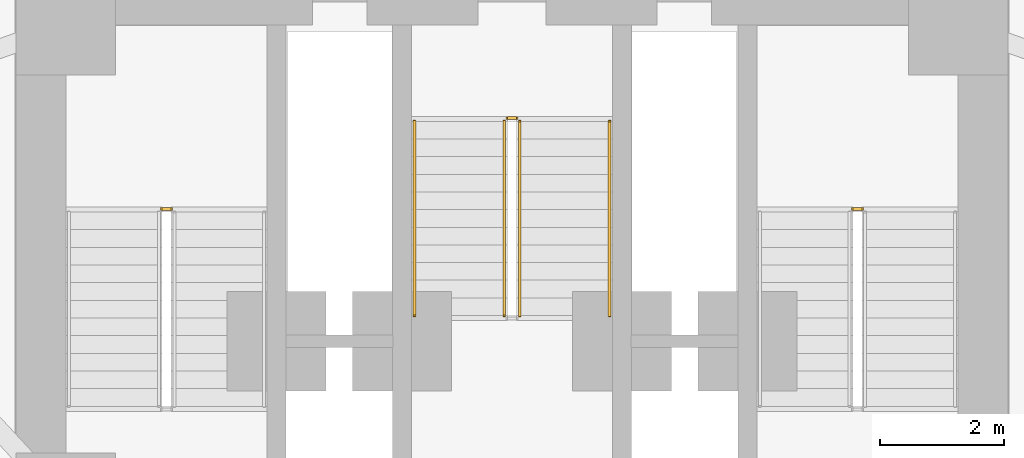
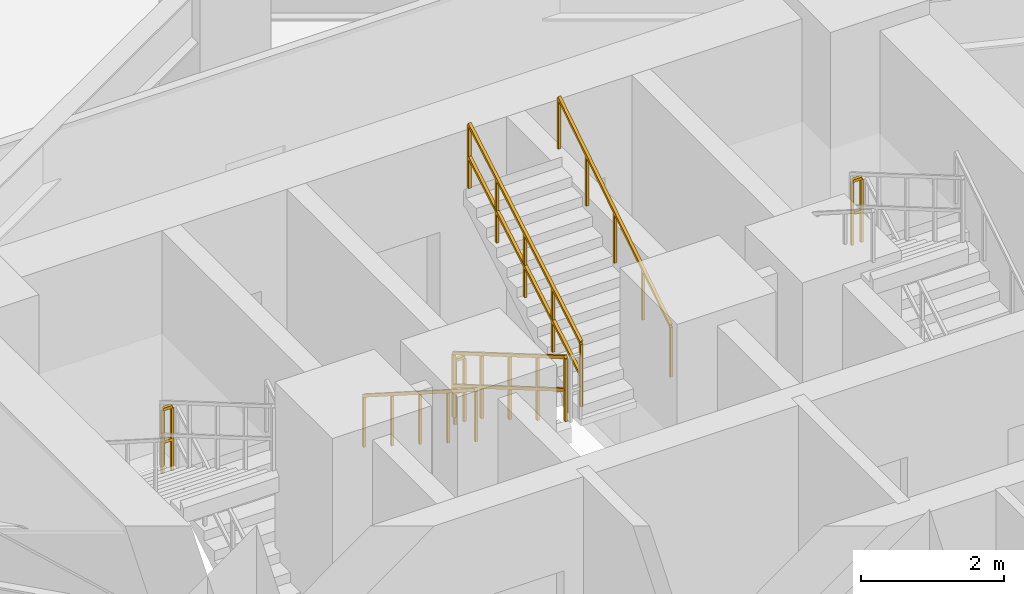
# One storey, part 11 of 11: 7 railings.
"""IFC4 building model written with IfcOpenShell, lengths in metres."""

from ifc_helpers import new_model, si_unit, direction, frame, origin, origin_2d, place, context, subcontext, project, spatial, rectangle, extrude, material, type_object, element, save


model = new_model("IFC4")

# Units and contexts
model_context = context("Model", 3, precision=1e-05, world=origin(), true_north=direction((0.0, 1.0)))
body_context = subcontext(model_context, "Body", "Model", "MODEL_VIEW")
ifc_project = project(units=[si_unit("LENGTHUNIT", "METRE"), si_unit("AREAUNIT", "SQUARE_METRE"), si_unit("VOLUMEUNIT", "CUBIC_METRE"), si_unit("PLANEANGLEUNIT", "RADIAN"), si_unit("MASSUNIT", "GRAM", prefix="KILO")], contexts=[model_context])

# Site, building, storey
site_placement = place(None, origin())
site = spatial("IfcSite", under=ifc_project, at=site_placement, CompositionType="ELEMENT")
building_placement = place(site_placement, origin())
building = spatial("IfcBuilding", under=site, at=building_placement, Name="Apsidion Concourse Tower", CompositionType="ELEMENT")
storey_placement = place(building_placement, frame((0.0, 0.0, 46.39990234375)))
storey = spatial("IfcBuildingStorey", under=building, at=storey_placement, Name="L09", CompositionType="ELEMENT", Elevation=46.39990234375)

# Railings
ifc_material = material(Name="Brushed stainless steel 316", Category="steel")
railing_type_1 = type_object("IfcRailingType", Name="RL-GUARD-1100", PredefinedType="GUARDRAIL", material=ifc_material)
for number, where, name in (
    (1, (-5.5, 6.18505859375, 2.0), "L09 ST1 stair guard 2"),
    (2, (5.64990234375, 6.18505859375, 2.0), "L09 ST2 stair guard 2"),
):
    element("IfcRailing", number, at=place(storey_placement, frame(where)), inside=storey, type_object=railing_type_1, Name=name, PredefinedType="GUARDRAIL", context=body_context, shape_type="SweptSolid", body=[
        extrude(rectangle(XDim=0.048095703125, YDim=0.048095703125, at=origin_2d()), frame((0.0, 0.0, 1.09619140625), z_axis=(-1.0, 0.0, 0.0), x_axis=(0.0, -1.0, 0.0)), (0.0, 0.0, 1.0), 0.14990234375),
        extrude(rectangle(XDim=0.048095703125, YDim=0.048095703125, at=origin_2d()), frame((0.0, 0.0, 0.5361328125), z_axis=(-1.0, 0.0, 0.0), x_axis=(0.0, -1.0, 0.0)), (0.0, 0.0, 1.0), 0.14990234375),
        extrude(rectangle(XDim=0.0419921875, YDim=0.0419921875, at=origin_2d()), origin(), (0.0, 0.0, 1.0), 1.072021484375),
        extrude(rectangle(XDim=0.0419921875, YDim=0.0419921875, at=origin_2d()), frame((-0.14990234375, 0.0, 0.0)), (0.0, 0.0, 1.0), 1.072021484375),
    ])
railing_1_placement = place(storey_placement, frame((-0.125, 7.60009765625, 0.166748046875)))
element("IfcRailing", 3, at=railing_1_placement, inside=storey, type_object=railing_type_1, Name="L09 ST3 stair guard 1", PredefinedType="GUARDRAIL", context=body_context, shape_type="SweptSolid", body=[
    extrude(rectangle(XDim=0.048095703125, YDim=0.048095703125, at=origin_2d()), frame((0.0, 0.0, 1.09619140625), z_axis=(0.0, -0.863239559939, 0.504794475164), x_axis=(1.0, 0.0, 0.0)), (0.0, 0.0, 1.0), 3.631591796875),
    extrude(rectangle(XDim=0.048095703125, YDim=0.048095703125, at=origin_2d()), frame((0.0, 0.0, 0.5361328125), z_axis=(0.0, -0.863239559939, 0.504794475164), x_axis=(1.0, 0.0, 0.0)), (0.0, 0.0, 1.0), 3.631591796875),
    extrude(rectangle(XDim=0.0419921875, YDim=0.0419921875, at=origin_2d()), origin(), (0.0, 0.0, 1.0), 1.072021484375),
    extrude(rectangle(XDim=0.0419921875, YDim=0.0419921875, at=origin_2d()), frame((0.0, -0.78369140625, 0.458251953125)), (0.0, 0.0, 1.0), 1.072021484375),
    extrude(rectangle(XDim=0.0419921875, YDim=0.0419921875, at=origin_2d()), frame((0.0, -1.5673828125, 0.91650390625)), (0.0, 0.0, 1.0), 1.072021484375),
    extrude(rectangle(XDim=0.0419921875, YDim=0.0419921875, at=origin_2d()), frame((0.0, -2.351318359375, 1.375)), (0.0, 0.0, 1.0), 1.072021484375),
    extrude(rectangle(XDim=0.0419921875, YDim=0.0419921875, at=origin_2d()), frame((0.0, -3.135009765625, 1.833251953125)), (0.0, 0.0, 1.0), 1.072021484375),
])
railing_2_placement = place(storey_placement, frame((0.125, 4.465087890625, 2.166748046875)))
element("IfcRailing", 4, at=railing_2_placement, inside=storey, type_object=railing_type_1, Name="L09 ST3 stair guard 3", PredefinedType="GUARDRAIL", context=body_context, shape_type="SweptSolid", body=[
    extrude(rectangle(XDim=0.048095703125, YDim=0.048095703125, at=origin_2d()), frame((0.0, 0.0, 1.09619140625), z_axis=(0.0, 0.863239559939, 0.504794475164), x_axis=(-1.0, 0.0, 0.0)), (0.0, 0.0, 1.0), 3.631591796875),
    extrude(rectangle(XDim=0.048095703125, YDim=0.048095703125, at=origin_2d()), frame((0.0, 0.0, 0.5361328125), z_axis=(0.0, 0.863239559939, 0.504794475164), x_axis=(-1.0, 0.0, 0.0)), (0.0, 0.0, 1.0), 3.631591796875),
    extrude(rectangle(XDim=0.0419921875, YDim=0.0419921875, at=origin_2d()), origin(), (0.0, 0.0, 1.0), 1.072021484375),
    extrude(rectangle(XDim=0.0419921875, YDim=0.0419921875, at=origin_2d()), frame((0.0, 0.78369140625, 0.458251953125)), (0.0, 0.0, 1.0), 1.072021484375),
    extrude(rectangle(XDim=0.0419921875, YDim=0.0419921875, at=origin_2d()), frame((0.0, 1.5673828125, 0.91650390625)), (0.0, 0.0, 1.0), 1.072021484375),
    extrude(rectangle(XDim=0.0419921875, YDim=0.0419921875, at=origin_2d()), frame((0.0, 2.351318359375, 1.375)), (0.0, 0.0, 1.0), 1.072021484375),
    extrude(rectangle(XDim=0.0419921875, YDim=0.0419921875, at=origin_2d()), frame((0.0, 3.135009765625, 1.833251953125)), (0.0, 0.0, 1.0), 1.072021484375),
])
railing_3_placement = place(storey_placement, frame((-0.074951171875, 7.64990234375, 0.0)))
element("IfcRailing", 5, at=railing_3_placement, inside=storey, type_object=railing_type_1, Name="L09 ST3 stair guard 4", PredefinedType="GUARDRAIL", context=body_context, shape_type="SweptSolid", body=[
    extrude(rectangle(XDim=0.048095703125, YDim=0.048095703125, at=origin_2d()), frame((0.0, 0.0, 1.09619140625), z_axis=(1.0, 0.0, 0.0), x_axis=(0.0, 1.0, 0.0)), (0.0, 0.0, 1.0), 0.14990234375),
    extrude(rectangle(XDim=0.048095703125, YDim=0.048095703125, at=origin_2d()), frame((0.0, 0.0, 0.5361328125), z_axis=(1.0, 0.0, 0.0), x_axis=(0.0, 1.0, 0.0)), (0.0, 0.0, 1.0), 0.14990234375),
    extrude(rectangle(XDim=0.0419921875, YDim=0.0419921875, at=origin_2d()), origin(), (0.0, 0.0, 1.0), 1.072021484375),
    extrude(rectangle(XDim=0.0419921875, YDim=0.0419921875, at=origin_2d()), frame((0.14990234375, 0.0, 0.0)), (0.0, 0.0, 1.0), 1.072021484375),
])
railing_type_2 = type_object("IfcRailingType", Name="RL-HAND-900", PredefinedType="HANDRAIL", material=ifc_material)
railing_4_placement = place(storey_placement, frame((-1.574951171875, 7.60009765625, 0.166748046875)))
element("IfcRailing", 6, at=railing_4_placement, inside=storey, type_object=railing_type_2, Name="L09 ST3 stair handrail 1", PredefinedType="HANDRAIL", context=body_context, shape_type="SweptSolid", body=[
    extrude(rectangle(XDim=0.048095703125, YDim=0.048095703125, at=origin_2d()), frame((0.0, 0.0, 0.8759765625), z_axis=(0.0, -0.843052688722, 0.537830980921), x_axis=(1.0, 0.0, 0.0)), (0.0, 0.0, 1.0), 3.71875),
    extrude(rectangle(XDim=0.0419921875, YDim=0.0419921875, at=origin_2d()), origin(), (0.0, 0.0, 1.0), 0.851806640625),
    extrude(rectangle(XDim=0.0419921875, YDim=0.0419921875, at=origin_2d()), frame((0.0, -0.78369140625, 0.5)), (0.0, 0.0, 1.0), 0.851806640625),
    extrude(rectangle(XDim=0.0419921875, YDim=0.0419921875, at=origin_2d()), frame((0.0, -1.5673828125, 1.0)), (0.0, 0.0, 1.0), 0.851806640625),
    extrude(rectangle(XDim=0.0419921875, YDim=0.0419921875, at=origin_2d()), frame((0.0, -2.351318359375, 1.5)), (0.0, 0.0, 1.0), 0.851806640625),
    extrude(rectangle(XDim=0.0419921875, YDim=0.0419921875, at=origin_2d()), frame((0.0, -3.135009765625, 2.0)), (0.0, 0.0, 1.0), 0.851806640625),
])
railing_5_placement = place(storey_placement, frame((1.574951171875, 4.465087890625, 2.166748046875)))
element("IfcRailing", 7, at=railing_5_placement, inside=storey, type_object=railing_type_2, Name="L09 ST3 stair handrail 2", PredefinedType="HANDRAIL", context=body_context, shape_type="SweptSolid", body=[
    extrude(rectangle(XDim=0.048095703125, YDim=0.048095703125, at=origin_2d()), frame((0.0, 0.0, 0.8759765625), z_axis=(0.0, 0.843052688722, 0.537830980921), x_axis=(-1.0, 0.0, 0.0)), (0.0, 0.0, 1.0), 3.71875),
    extrude(rectangle(XDim=0.0419921875, YDim=0.0419921875, at=origin_2d()), origin(), (0.0, 0.0, 1.0), 0.851806640625),
    extrude(rectangle(XDim=0.0419921875, YDim=0.0419921875, at=origin_2d()), frame((0.0, 0.78369140625, 0.5)), (0.0, 0.0, 1.0), 0.851806640625),
    extrude(rectangle(XDim=0.0419921875, YDim=0.0419921875, at=origin_2d()), frame((0.0, 1.5673828125, 1.0)), (0.0, 0.0, 1.0), 0.851806640625),
    extrude(rectangle(XDim=0.0419921875, YDim=0.0419921875, at=origin_2d()), frame((0.0, 2.351318359375, 1.5)), (0.0, 0.0, 1.0), 0.851806640625),
    extrude(rectangle(XDim=0.0419921875, YDim=0.0419921875, at=origin_2d()), frame((0.0, 3.135009765625, 2.0)), (0.0, 0.0, 1.0), 0.851806640625),
])

save(model, "model.ifc")
